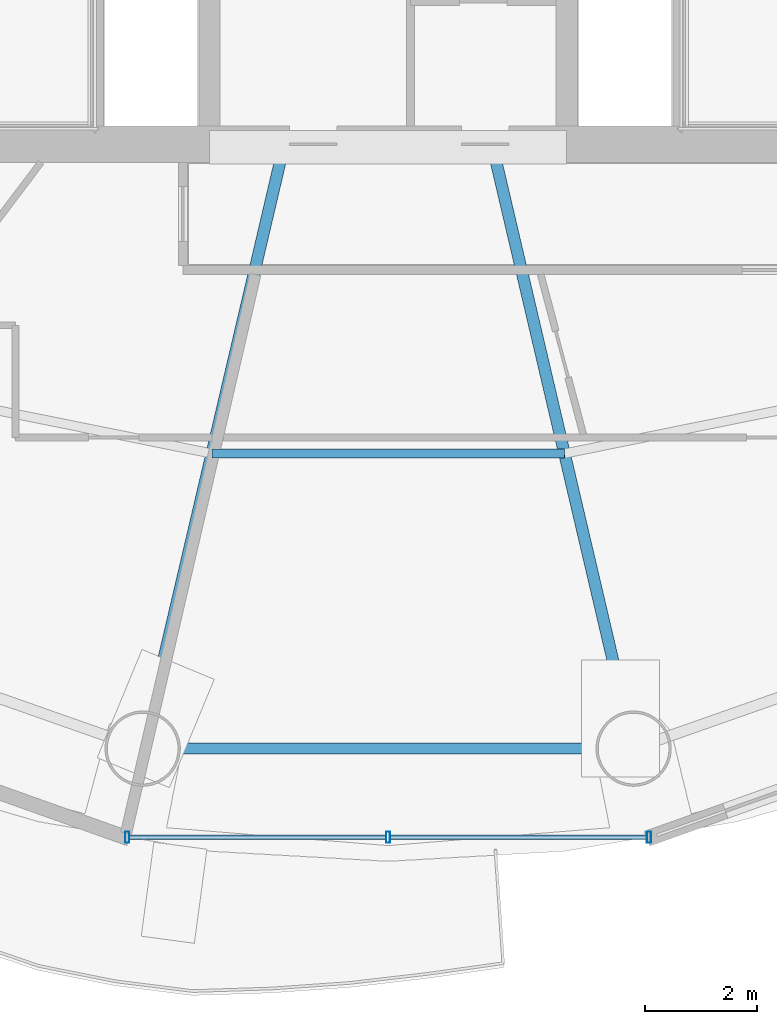
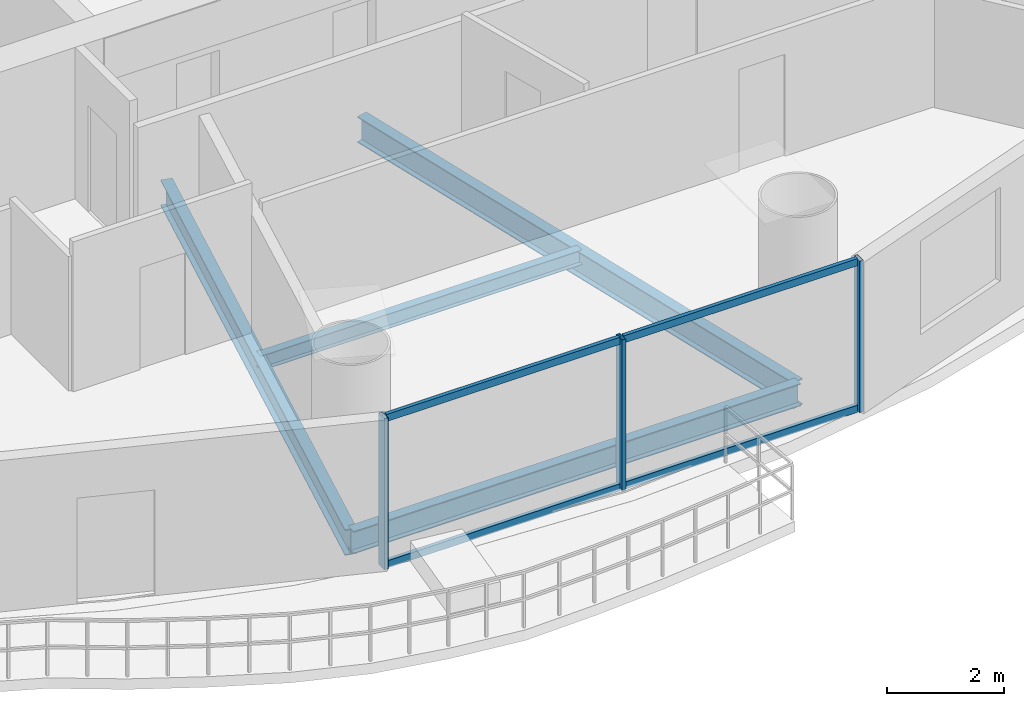
# One storey, part 4 of 26: 7 members, 4 beams, 1 element without a shape of its own.
"""IFC4 building model written with IfcOpenShell, lengths in metres."""

from ifc_helpers import new_model, si_unit, direction, frame, origin, origin_2d, place, context, subcontext, project, spatial, hollow_rectangle, i_section, extrude, source, transform, mapped, material, material_profile, profile_set, type_object, element, aggregate, save


model = new_model("IFC4")

# Units and contexts
model_context = context("Model", 3, precision=1e-05, world=origin(), true_north=direction((-0.2419218956, 0.970295726276)))
body_context = subcontext(model_context, "Body", "Model", "MODEL_VIEW")
ifc_project = project(units=[si_unit("LENGTHUNIT", "METRE"), si_unit("AREAUNIT", "SQUARE_METRE"), si_unit("VOLUMEUNIT", "CUBIC_METRE"), si_unit("PLANEANGLEUNIT", "RADIAN"), si_unit("MASSUNIT", "GRAM", prefix="KILO")], contexts=[model_context])

# Site, building, storey
site_placement = place(None, origin())
site = spatial("IfcSite", under=ifc_project, at=site_placement, CompositionType="ELEMENT")
building_placement = place(site_placement, origin())
building = spatial("IfcBuilding", under=site, at=building_placement, Name="Cobrevalo Terracotta Tower", CompositionType="ELEMENT")
storey_placement = place(building_placement, frame((0.0, 0.0, 182.199951171875)))
storey = spatial("IfcBuildingStorey", under=building, at=storey_placement, Name="L48", CompositionType="ELEMENT", Elevation=182.199951171875)

# Beams
ifc_material_1 = material(Name="Steel S355", Category="steel")
ifc_material_profile_1 = material_profile(ifc_material_1, i_section(OverallWidth=0.2109375, OverallDepth=0.5390625, WebThickness=0.01171875, FlangeThickness=0.018798828125, at=origin_2d()), Name="W 530x109")
ifc_profile_set_1 = profile_set([ifc_material_profile_1], Name="Steel S355")
beam_type_1 = type_object("IfcBeamType", Name="Structural Beam W 530x109 (Steel S355)", PredefinedType="BEAM", material=ifc_profile_set_1)
for number, where, z_axis, x_axis, name in (
    (1, (33.600830078125, 8.01806640625, -0.53955078125), (0.228045854186, 0.973650393308, 0.0), (-0.973650393308, 0.228045854186, 0.0), "L48 radial floor girder 12"),
    (2, (42.399169921875, 8.01806640625, -0.53955078125), (-0.228045854186, 0.973650393308, 0.0), (-0.973650393308, -0.228045854186, 0.0), "L48 radial floor girder 13"),
):
    element("IfcBeam", number, at=place(storey_placement, frame(where, z_axis=z_axis, x_axis=x_axis)), inside=storey, type_object=beam_type_1, Name=name, PredefinedType="BEAM", context=body_context, shape_type="SweptSolid", body=[
        extrude(i_section(OverallWidth=0.2109375, OverallDepth=0.5390625, WebThickness=0.01171875, FlangeThickness=0.018798828125, at=origin_2d()), origin(), (0.0, 0.0, 1.0), 10.863037109375),
    ])
ifc_material_profile_2 = material_profile(ifc_material_1, i_section(OverallWidth=0.1650390625, OverallDepth=0.31005859375, WebThickness=0.005859375, FlangeThickness=0.009765625, at=origin_2d()), Name="W 310x38.7")
ifc_profile_set_2 = profile_set([ifc_material_profile_2], Name="Steel S355")
beam_type_2 = type_object("IfcBeamType", Name="Structural Joist W 310x38.7 (Steel S355)", PredefinedType="JOIST", material=ifc_profile_set_2)
beam_1_placement = place(storey_placement, frame((34.83935546875, 13.306396484375, -0.425048828125), z_axis=(1.0, 0.0, 0.0), x_axis=(0.0, 1.0, 0.0)))
element("IfcBeam", 3, at=beam_1_placement, inside=storey, type_object=beam_type_2, Name="L48 circumferential secondary floor joist 12", PredefinedType="JOIST", context=body_context, shape_type="SweptSolid", body=[
    extrude(i_section(OverallWidth=0.1650390625, OverallDepth=0.31005859375, WebThickness=0.005859375, FlangeThickness=0.009765625, at=origin_2d()), origin(), (0.0, 0.0, 1.0), 6.3212890625),
])
ifc_material_profile_3 = material_profile(ifc_material_1, i_section(OverallWidth=0.194091796875, OverallDepth=0.468994140625, WebThickness=0.011474609375, FlangeThickness=0.0205078125, at=origin_2d()), Name="W 460x106")
ifc_profile_set_3 = profile_set([ifc_material_profile_3], Name="Steel S355")
beam_type_3 = type_object("IfcBeamType", Name="Structural Spandrel W 460x106 (Steel S355)", PredefinedType="SPANDREL", material=ifc_profile_set_3)
beam_2_placement = place(storey_placement, frame((33.600830078125, 8.01806640625, -0.50439453125), z_axis=(1.0, 0.0, 0.0), x_axis=(0.0, 1.0, 0.0)))
element("IfcBeam", 4, at=beam_2_placement, inside=storey, type_object=beam_type_3, Name="L48 perimeter ring spandrel 12", PredefinedType="SPANDREL", context=body_context, shape_type="SweptSolid", body=[
    extrude(i_section(OverallWidth=0.194091796875, OverallDepth=0.468994140625, WebThickness=0.011474609375, FlangeThickness=0.0205078125, at=origin_2d()), origin(), (0.0, 0.0, 1.0), 8.79833984375),
])

# Curtain wall, members
ifc_material_2 = material(Name="Anodized aluminium", Category="aluminium")
curtain_wall_type = type_object("IfcCurtainWallType", Name="Mid-tower high-wind unitised curtain wall CW-U2", PredefinedType="NOTDEFINED", material=ifc_material_2)
curtain_wall_placement = place(storey_placement, origin())
curtain_wall = element("IfcCurtainWall", 5, at=curtain_wall_placement, inside=storey, type_object=curtain_wall_type, Name="L48 curtain wall CW-L48-S12", PredefinedType="NOTDEFINED")
ifc_material_profile_4 = material_profile(ifc_material_2, hollow_rectangle(XDim=0.074951171875, YDim=0.14990234375, WallThickness=0.00439453125, at=origin_2d()), Name="CWT 75x150")
ifc_profile_set_4 = profile_set([ifc_material_profile_4], Name="Anodized aluminium")
member_type_1 = type_object("IfcMemberType", Name="Tower unitised aluminium transom 75x150", PredefinedType="USERDEFINED", material=ifc_profile_set_4)
shared_shape_1 = source(origin(), body_context, "Body", "SweptSolid", [
    extrude(hollow_rectangle(XDim=0.074951171875, YDim=0.14990234375, WallThickness=0.00439453125, at=origin_2d()), origin(), (0.0, 0.0, 1.0), 4.59521484375),
])
member_1_placement = place(storey_placement, frame((33.36474609375, 6.42919921875, 0.050048828125), z_axis=(1.0, 0.0, 0.0), x_axis=(0.0, 1.0, 0.0)))
member_1 = element("IfcMember", 6, at=member_1_placement, type_object=member_type_1, Name="CW-L48-S12 transom B01-T1", ObjectType="TRANSOM", PredefinedType="USERDEFINED", context=body_context, shape_type="MappedRepresentation", body=[
    mapped(shared_shape_1, transform((0.0, 0.0, 0.0), scale=1.0)),
])
member_2_placement = place(storey_placement, frame((33.36474609375, 6.42919921875, 3.10009765625), z_axis=(1.0, 0.0, 0.0), x_axis=(0.0, 1.0, 0.0)))
member_2 = element("IfcMember", 7, at=member_2_placement, type_object=member_type_1, Name="CW-L48-S12 transom B01-T2", ObjectType="TRANSOM", PredefinedType="USERDEFINED", context=body_context, shape_type="MappedRepresentation", body=[
    mapped(shared_shape_1, transform((0.0, 0.0, 0.0), scale=1.0)),
])
member_3_placement = place(storey_placement, frame((38.0400390625, 6.42919921875, 0.050048828125), z_axis=(1.0, 0.0, 0.0), x_axis=(0.0, 1.0, 0.0)))
member_3 = element("IfcMember", 8, at=member_3_placement, type_object=member_type_1, Name="CW-L48-S12 transom B02-T1", ObjectType="TRANSOM", PredefinedType="USERDEFINED", context=body_context, shape_type="MappedRepresentation", body=[
    mapped(shared_shape_1, transform((0.0, 0.0, 0.0), scale=1.0)),
])
member_4_placement = place(storey_placement, frame((38.0400390625, 6.42919921875, 3.10009765625), z_axis=(1.0, 0.0, 0.0), x_axis=(0.0, 1.0, 0.0)))
member_4 = element("IfcMember", 9, at=member_4_placement, type_object=member_type_1, Name="CW-L48-S12 transom B02-T2", ObjectType="TRANSOM", PredefinedType="USERDEFINED", context=body_context, shape_type="MappedRepresentation", body=[
    mapped(shared_shape_1, transform((0.0, 0.0, 0.0), scale=1.0)),
])
ifc_material_profile_5 = material_profile(ifc_material_2, hollow_rectangle(XDim=0.074951171875, YDim=0.199951171875, WallThickness=0.0048828125, at=origin_2d()), Name="CWM 75x200")
ifc_profile_set_5 = profile_set([ifc_material_profile_5], Name="Anodized aluminium")
member_type_2 = type_object("IfcMemberType", Name="Lower/mid tower unitised mullion 75x200", PredefinedType="MULLION", material=ifc_profile_set_5)
shared_shape_2 = source(origin(), body_context, "Body", "SweptSolid", [
    extrude(hollow_rectangle(XDim=0.074951171875, YDim=0.199951171875, WallThickness=0.0048828125, at=origin_2d()), origin(), (0.0, 0.0, 1.0), 3.150146484375),
])
member_5_placement = place(storey_placement, frame((33.32470703125, 6.42919921875, 0.0), z_axis=(0.0, 0.0, 1.0), x_axis=(1.0, 0.0, 0.0)))
member_5 = element("IfcMember", 10, at=member_5_placement, type_object=member_type_2, Name="CW-L48-S12 vertical mullion 01", PredefinedType="MULLION", context=body_context, shape_type="MappedRepresentation", body=[
    mapped(shared_shape_2, transform((0.0, 0.0, 0.0), scale=1.0)),
])
member_6_placement = place(storey_placement, frame((38.0, 6.42919921875, 0.0), z_axis=(0.0, 0.0, 1.0), x_axis=(1.0, 0.0, 0.0)))
member_6 = element("IfcMember", 11, at=member_6_placement, type_object=member_type_2, Name="CW-L48-S12 vertical mullion 02", PredefinedType="MULLION", context=body_context, shape_type="MappedRepresentation", body=[
    mapped(shared_shape_2, transform((0.0, 0.0, 0.0), scale=1.0)),
])
member_7_placement = place(storey_placement, frame((42.67529296875, 6.42919921875, 0.0), z_axis=(0.0, 0.0, 1.0), x_axis=(1.0, 0.0, 0.0)))
member_7 = element("IfcMember", 12, at=member_7_placement, type_object=member_type_2, Name="CW-L48-S12 vertical mullion 03", PredefinedType="MULLION", context=body_context, shape_type="MappedRepresentation", body=[
    mapped(shared_shape_2, transform((0.0, 0.0, 0.0), scale=1.0)),
])
aggregate(curtain_wall, [member_5, member_6, member_7, member_1, member_2, member_3, member_4])

save(model, "model.ifc")
